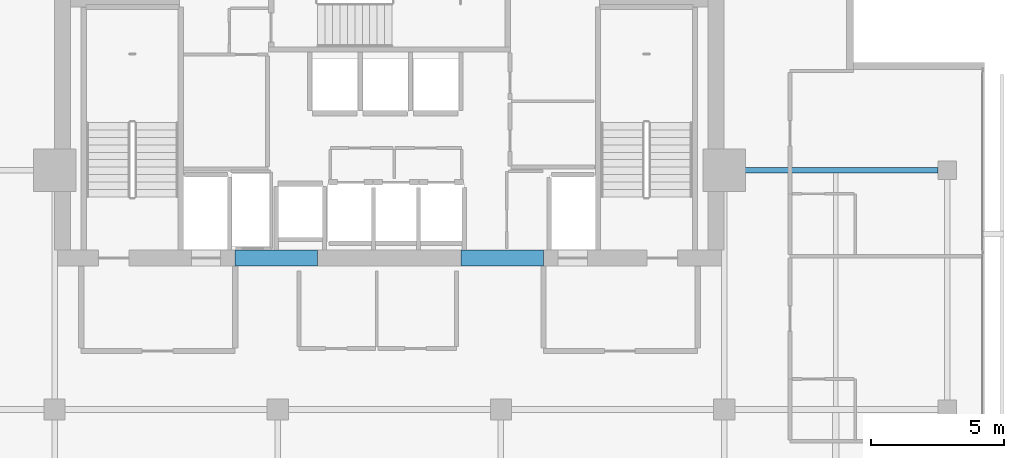
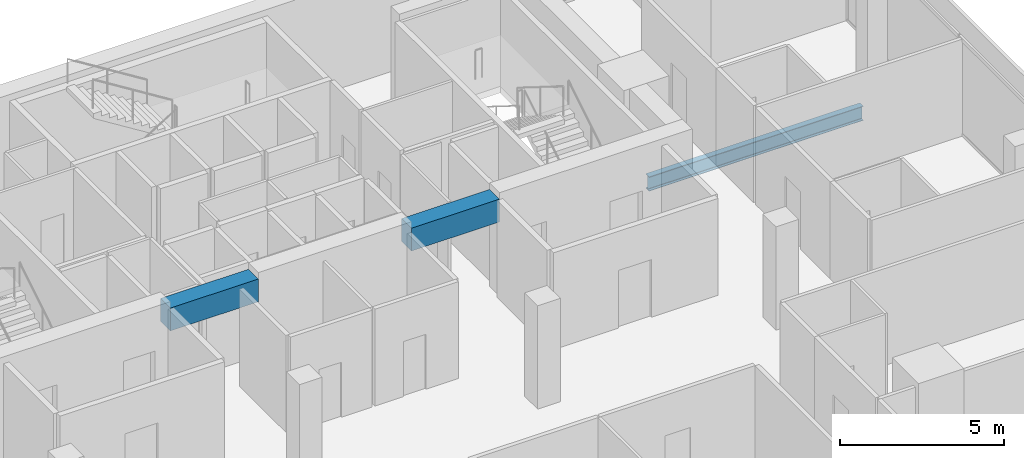
# One storey, part 17 of 26: 3 beams.
"""IFC4 building model written with IfcOpenShell, lengths in metres."""

from ifc_helpers import new_model, si_unit, direction, frame, origin, origin_2d, place, context, subcontext, project, spatial, rectangle, i_section, extrude, material, material_profile, profile_set, type_object, element, save


model = new_model("IFC4")

# Units and contexts
model_context = context("Model", 3, precision=1e-05, world=origin(), true_north=direction((0.0, 1.0)))
body_context = subcontext(model_context, "Body", "Model", "MODEL_VIEW")
ifc_project = project(units=[si_unit("LENGTHUNIT", "METRE"), si_unit("AREAUNIT", "SQUARE_METRE"), si_unit("VOLUMEUNIT", "CUBIC_METRE"), si_unit("PLANEANGLEUNIT", "RADIAN"), si_unit("MASSUNIT", "GRAM", prefix="KILO")], contexts=[model_context])

# Site, building, storey
site_placement = place(None, origin())
site = spatial("IfcSite", under=ifc_project, at=site_placement, CompositionType="ELEMENT")
building_placement = place(site_placement, origin())
building = spatial("IfcBuilding", under=site, at=building_placement, Name="Maruvema Waterfront Hotel and Observation Tower", CompositionType="ELEMENT")
storey_placement = place(building_placement, frame((0.0, 0.0, 266.35009765625)))
storey = spatial("IfcBuildingStorey", under=building, at=storey_placement, Name="L65", CompositionType="ELEMENT", Elevation=266.35009765625)

# Beams
ifc_material_1 = material(Name="Concrete C60/75", Category="concrete")
ifc_material_profile_1 = material_profile(ifc_material_1, rectangle(XDim=0.60009765625, YDim=0.85009765625, at=origin_2d()), Name="CB600x850")
ifc_profile_set_1 = profile_set([ifc_material_profile_1], Name="Concrete C60/75")
beam_type_1 = type_object("IfcBeamType", Name="Core Coupling Lintel Beam CB600x850", PredefinedType="LINTEL", material=ifc_profile_set_1)
for number, where, z_axis, x_axis, name in (
    (1, (32.0, 41.699951171875, 3.184814453125), (1.0, 0.0, 0.0), (0.0, 1.0, 0.0), "L65 Core Coupling Lintel Beam West"),
    (2, (40.5, 41.699951171875, 3.184814453125), (1.0, 0.0, 0.0), (0.0, 1.0, 0.0), "L65 Core Coupling Lintel Beam East"),
):
    element("IfcBeam", number, at=place(storey_placement, frame(where, z_axis=z_axis, x_axis=x_axis)), inside=storey, type_object=beam_type_1, Name=name, PredefinedType="LINTEL", context=body_context, shape_type="SweptSolid", body=[
        extrude(rectangle(XDim=0.60009765625, YDim=0.85009765625, at=origin_2d()), origin(), (0.0, 0.0, 1.0), 3.10009765625),
    ])
ifc_material_2 = material(Name="Steel ASTM A572 Grade 50", Category="steel")
ifc_material_profile_2 = material_profile(ifc_material_2, i_section(OverallWidth=0.208984375, OverallDepth=0.532958984375, WebThickness=0.01025390625, FlangeThickness=0.015625, FilletRadius=0.014892578125, at=origin_2d()), Name="W530x92.0")
ifc_profile_set_2 = profile_set([ifc_material_profile_2], Name="Steel ASTM A572 Grade 50")
beam_type_2 = type_object("IfcBeamType", Name="Primary Floor Girder W530x92.0", PredefinedType="BEAM", material=ifc_profile_set_2)
beam_placement = place(storey_placement, frame((50.89990234375, 45.0, -0.506591796875), z_axis=(1.0, 0.0, 0.0), x_axis=(0.0, 1.0, 0.0)))
element("IfcBeam", 3, at=beam_placement, inside=storey, type_object=beam_type_2, Name="L65 Floor Girder EW-18", PredefinedType="BEAM", context=body_context, shape_type="SweptSolid", body=[
    extrude(i_section(OverallWidth=0.208984375, OverallDepth=0.532958984375, WebThickness=0.01025390625, FlangeThickness=0.015625, FilletRadius=0.014892578125, at=origin_2d()), origin(), (0.0, 0.0, 1.0), 7.550048828125),
])

save(model, "model.ifc")
